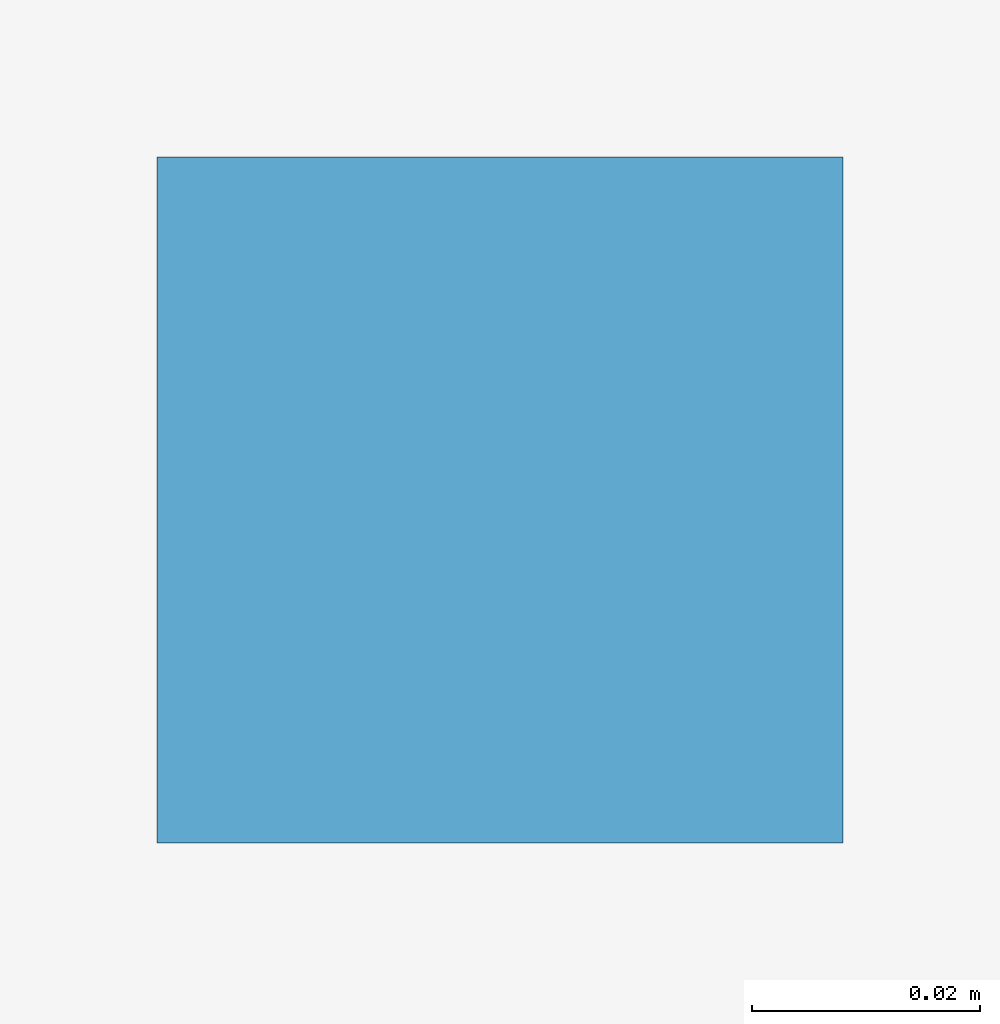
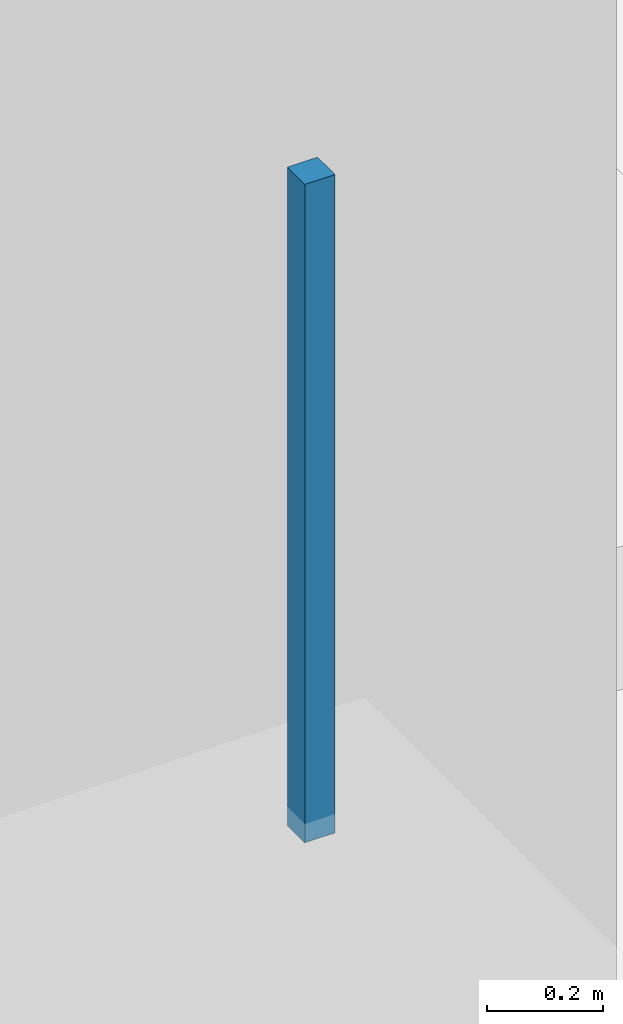
# One storey, part 106 of 124: 1 discrete accessory.
"""IFC4 building model written with IfcOpenShell, lengths in metres."""

from ifc_helpers import new_model, si_unit, direction, frame, origin, origin_2d, place, context, subcontext, project, spatial, rectangle, extrude, material, type_object, element, save


model = new_model("IFC4")

# Units and contexts
model_context = context("Model", 3, precision=1e-05, world=origin(), true_north=direction((0.0, 1.0)))
body_context = subcontext(model_context, "Body", "Model", "MODEL_VIEW")
ifc_project = project(units=[si_unit("LENGTHUNIT", "METRE"), si_unit("AREAUNIT", "SQUARE_METRE"), si_unit("VOLUMEUNIT", "CUBIC_METRE"), si_unit("PLANEANGLEUNIT", "RADIAN"), si_unit("MASSUNIT", "GRAM", prefix="KILO")], contexts=[model_context])

# Site, building, storey
site_placement = place(None, origin())
site = spatial("IfcSite", under=ifc_project, at=site_placement, CompositionType="ELEMENT")
building_placement = place(site_placement, origin())
building = spatial("IfcBuilding", under=site, at=building_placement, Name="Sundkrona Museum", CompositionType="ELEMENT")
storey_placement = place(building_placement, frame((0.0, 0.0, 17.60009765625)))
storey = spatial("IfcBuildingStorey", under=building, at=storey_placement, Name="L03", CompositionType="ELEMENT", Elevation=17.60009765625)

# Discrete accessory
ifc_material = material(Name="Stainless Steel EN 1.4404 Cleat", Category="steel")
discrete_accessory_type = type_object("IfcDiscreteAccessoryType", Name="BRK-FIN-01", PredefinedType="BRACKET", material=ifc_material)
discrete_accessory_placement = place(storey_placement, frame((163.75, 91.75, 2.550048828125), z_axis=(0.0, 0.0, 1.0), x_axis=(1.0, 0.0, 0.0)))
element("IfcDiscreteAccessory", 1, at=discrete_accessory_placement, inside=storey, type_object=discrete_accessory_type, Name="L03 Imaging and Photogrammetry Studio Ceiling Hanger 3", PredefinedType="BRACKET", context=body_context, shape_type="SweptSolid", body=[
    extrude(rectangle(XDim=0.06005859375, YDim=0.06005859375, at=origin_2d()), origin(), (0.0, 0.0, 1.0), 1.3798828125),
])

save(model, "model.ifc")
